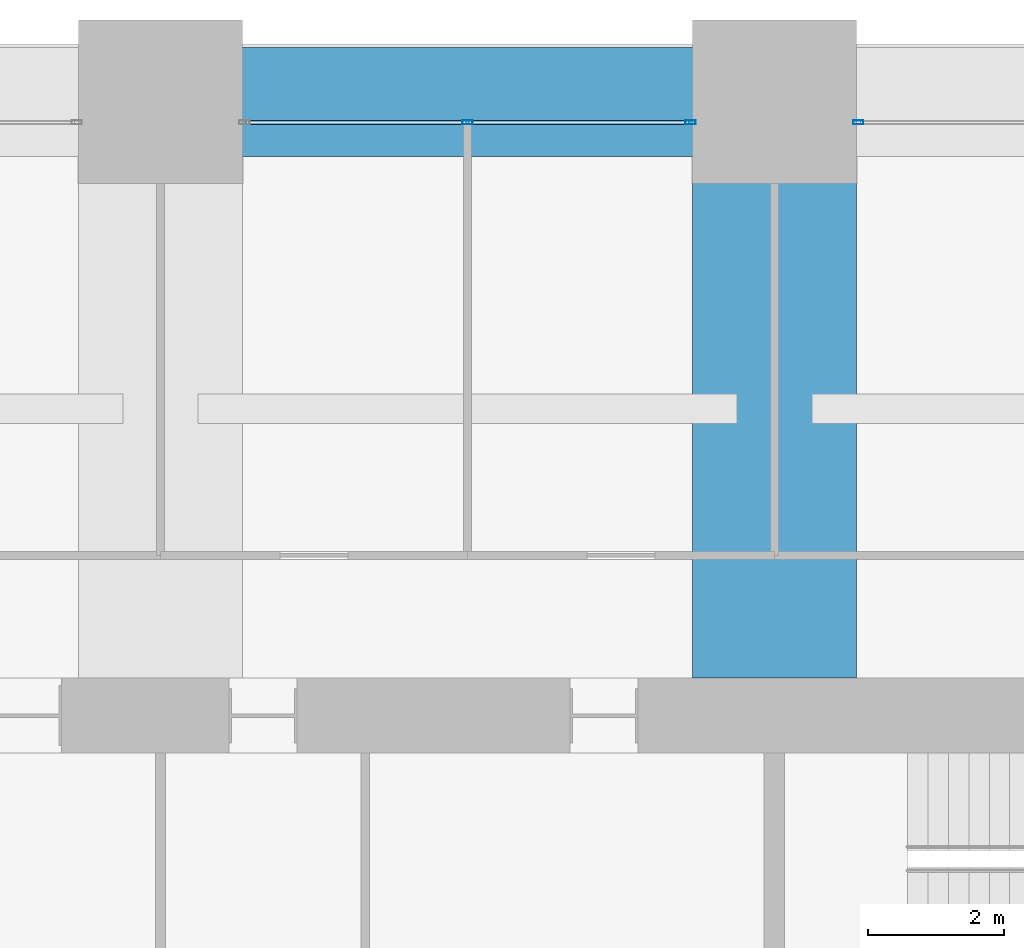
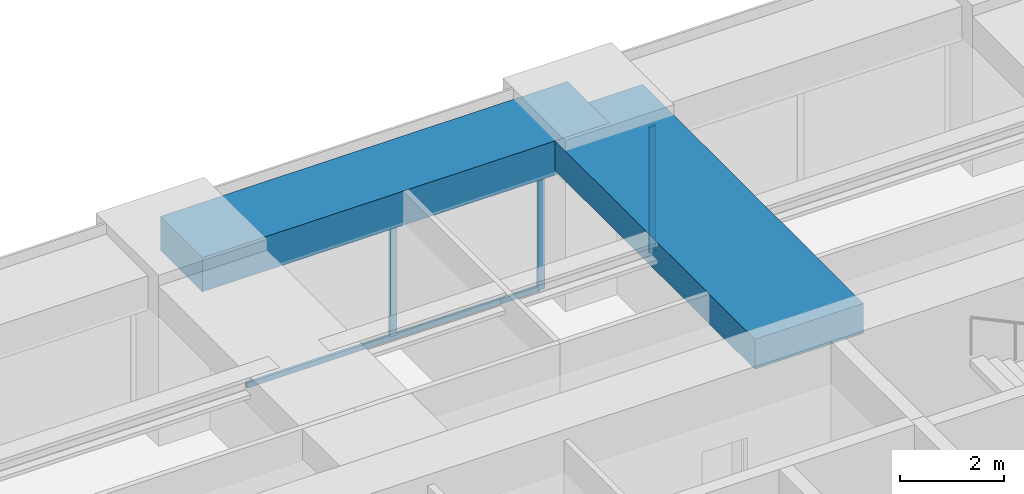
# One storey, part 30 of 43: 4 members, 2 beams, 2 elements without a shape of their own.
"""IFC4 building model written with IfcOpenShell, lengths in metres."""

from ifc_helpers import new_model, si_unit, direction, frame, origin, origin_2d, place, context, subcontext, project, spatial, rectangle, hollow_rectangle, extrude, material, material_profile, profile_set, type_object, element, aggregate, save


model = new_model("IFC4")

# Units and contexts
model_context = context("Model", 3, precision=1e-05, world=origin(), true_north=direction((0.0, 1.0)))
body_context = subcontext(model_context, "Body", "Model", "MODEL_VIEW")
ifc_project = project(units=[si_unit("LENGTHUNIT", "METRE"), si_unit("AREAUNIT", "SQUARE_METRE"), si_unit("VOLUMEUNIT", "CUBIC_METRE"), si_unit("PLANEANGLEUNIT", "RADIAN"), si_unit("MASSUNIT", "GRAM", prefix="KILO")], contexts=[model_context])

# Site, building, storey
site_placement = place(None, origin())
site = spatial("IfcSite", under=ifc_project, at=site_placement, CompositionType="ELEMENT")
building_placement = place(site_placement, origin())
building = spatial("IfcBuilding", under=site, at=building_placement, Name="Zorevar Civic Tower", CompositionType="ELEMENT")
storey_placement = place(building_placement, frame((0.0, 0.0, 141.0)))
storey = spatial("IfcBuildingStorey", under=building, at=storey_placement, Name="L34", CompositionType="ELEMENT", Elevation=141.0)

# Beam
ifc_material_1 = material(Name="Concrete C50/60", Category="concrete")
ifc_material_profile_1 = material_profile(ifc_material_1, rectangle(XDim=2.39990234375, YDim=0.699951171875, at=origin_2d()), Name="RC 2400x700")
ifc_profile_set_1 = profile_set([ifc_material_profile_1], Name="Concrete C50/60")
beam_type_1 = type_object("IfcBeamType", Name="Beam RC 2400x700", PredefinedType="BEAM", material=ifc_profile_set_1)
beam_1_placement = place(storey_placement, frame((36.0, 36.550048828125, 3.39990234375), z_axis=(0.0, 1.0, 0.0), x_axis=(-1.0, 0.0, 0.0)))
element("IfcBeam", 1, at=beam_1_placement, inside=storey, type_object=beam_type_1, Name="Girder L35", PredefinedType="BEAM", context=body_context, shape_type="SweptSolid", body=[
    extrude(rectangle(XDim=2.39990234375, YDim=0.699951171875, at=origin_2d()), origin(), (0.0, 0.0, 1.0), 8.449951171875),
])

# Curtain wall, members
ifc_material_2 = material(Name="Dark grey solar-control glass in black aluminium frame", Category="aluminium")
curtain_wall_type = type_object("IfcCurtainWallType", Name="Curtain wall CW3 mid zone", PredefinedType="NOTDEFINED", material=ifc_material_2)
curtain_wall_1_placement = place(storey_placement, origin())
curtain_wall_1 = element("IfcCurtainWall", 2, at=curtain_wall_1_placement, inside=storey, type_object=curtain_wall_type, Name="CW3 L34", PredefinedType="NOTDEFINED")
ifc_material_3 = material(Name="Aluminium, black anodised", Category="aluminium")
ifc_material_profile_2 = material_profile(ifc_material_3, hollow_rectangle(XDim=0.06005859375, YDim=0.14990234375, WallThickness=0.00390625, at=origin_2d()), Name="AL 150x60x4")
ifc_profile_set_2 = profile_set([ifc_material_profile_2], Name="Aluminium, black anodised")
member_type_1 = type_object("IfcMemberType", Name="CW3 mullion AL 150x60x4", PredefinedType="MULLION", material=ifc_profile_set_2)
member_1_placement = place(storey_placement, frame((31.5, 44.699951171875, 0.06005859375), z_axis=(0.0, 0.0, 1.0), x_axis=(0.0, 1.0, 0.0)))
member_1 = element("IfcMember", 3, at=member_1_placement, type_object=member_type_1, Name="CW3 mullion 2", PredefinedType="MULLION", context=body_context, shape_type="SweptSolid", body=[
    extrude(hollow_rectangle(XDim=0.06005859375, YDim=0.14990234375, WallThickness=0.00390625, at=origin_2d()), origin(), (0.0, 0.0, 1.0), 2.889892578125),
])
member_2_placement = place(storey_placement, frame((34.77001953125, 44.699951171875, 0.0), z_axis=(0.0, 0.0, 1.0), x_axis=(0.0, 1.0, 0.0)))
member_2 = element("IfcMember", 4, at=member_2_placement, type_object=member_type_1, Name="CW3 mullion 3", PredefinedType="MULLION", context=body_context, shape_type="SweptSolid", body=[
    extrude(hollow_rectangle(XDim=0.06005859375, YDim=0.14990234375, WallThickness=0.00390625, at=origin_2d()), origin(), (0.0, 0.0, 1.0), 2.949951171875),
])

# Curtain wall, member
curtain_wall_2_placement = place(storey_placement, origin())
curtain_wall_2 = element("IfcCurtainWall", 5, at=curtain_wall_2_placement, inside=storey, type_object=curtain_wall_type, Name="CW3 L34", PredefinedType="NOTDEFINED")
member_3_placement = place(storey_placement, frame((37.22998046875, 44.699951171875, 0.0), z_axis=(0.0, 0.0, 1.0), x_axis=(0.0, 1.0, 0.0)))
member_3 = element("IfcMember", 6, at=member_3_placement, type_object=member_type_1, Name="CW3 mullion 1", PredefinedType="MULLION", context=body_context, shape_type="SweptSolid", body=[
    extrude(hollow_rectangle(XDim=0.06005859375, YDim=0.14990234375, WallThickness=0.00390625, at=origin_2d()), origin(), (0.0, 0.0, 1.0), 2.949951171875),
])
aggregate(curtain_wall_2, [member_3])

# Member
ifc_material_4 = material(Name="Aluminium, black anodised", Category="aluminium")
ifc_material_profile_3 = material_profile(ifc_material_4, hollow_rectangle(XDim=0.06005859375, YDim=0.1201171875, WallThickness=0.0029296875, at=origin_2d()), Name="AL 120x60x3")
ifc_profile_set_3 = profile_set([ifc_material_profile_3], Name="Aluminium, black anodised")
member_type_2 = type_object("IfcMemberType", Name="CW3 transom AL 120x60x3", PredefinedType="USERDEFINED", material=ifc_profile_set_3)
member_4_placement = place(storey_placement, frame((28.260009765625, 44.699951171875, 0.030029296875), z_axis=(1.0, 0.0, 0.0), x_axis=(0.0, 1.0, 0.0)))
member_4 = element("IfcMember", 7, at=member_4_placement, type_object=member_type_2, Name="CW3 sill transom", ObjectType="TRANSOM", PredefinedType="USERDEFINED", context=body_context, shape_type="SweptSolid", body=[
    extrude(hollow_rectangle(XDim=0.06005859375, YDim=0.1201171875, WallThickness=0.0029296875, at=origin_2d()), origin(), (0.0, 0.0, 1.0), 6.47998046875),
])

aggregate(curtain_wall_1, [member_1, member_2, member_4])

# Beam
ifc_material_5 = material(Name="Concrete C50/60", Category="concrete")
ifc_material_profile_4 = material_profile(ifc_material_5, rectangle(XDim=1.60009765625, YDim=0.800048828125, at=origin_2d()), Name="RC 1600x800")
ifc_profile_set_4 = profile_set([ifc_material_profile_4], Name="Concrete C50/60")
beam_type_2 = type_object("IfcBeamType", Name="Edge beam RC 1600x800", PredefinedType="SPANDREL", material=ifc_profile_set_4)
beam_2_placement = place(storey_placement, frame((27.0, 45.0, 3.35009765625), z_axis=(1.0, 0.0, 0.0), x_axis=(0.0, 1.0, 0.0)))
element("IfcBeam", 8, at=beam_2_placement, inside=storey, type_object=beam_type_2, Name="Edge beam L35", PredefinedType="SPANDREL", context=body_context, shape_type="SweptSolid", body=[
    extrude(rectangle(XDim=1.60009765625, YDim=0.800048828125, at=origin_2d()), origin(), (0.0, 0.0, 1.0), 9.0),
])

save(model, "model.ifc")
